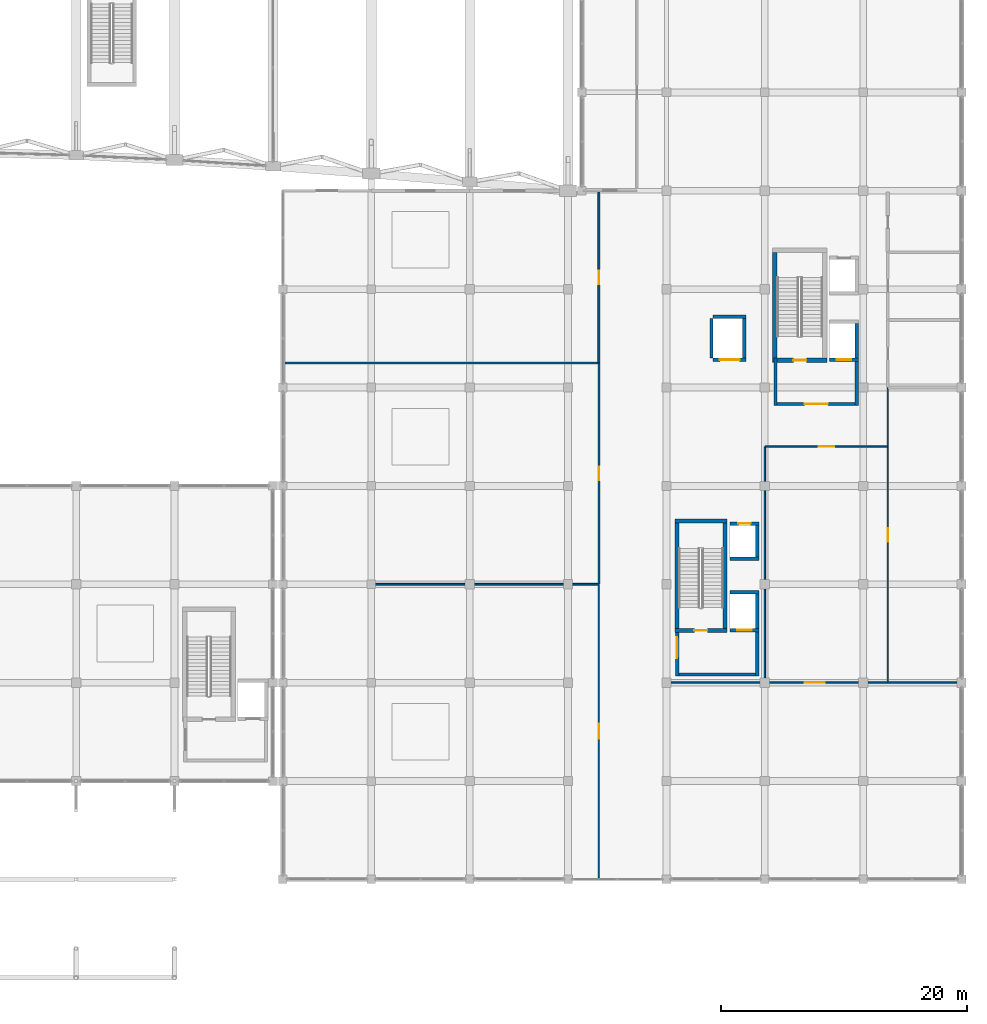
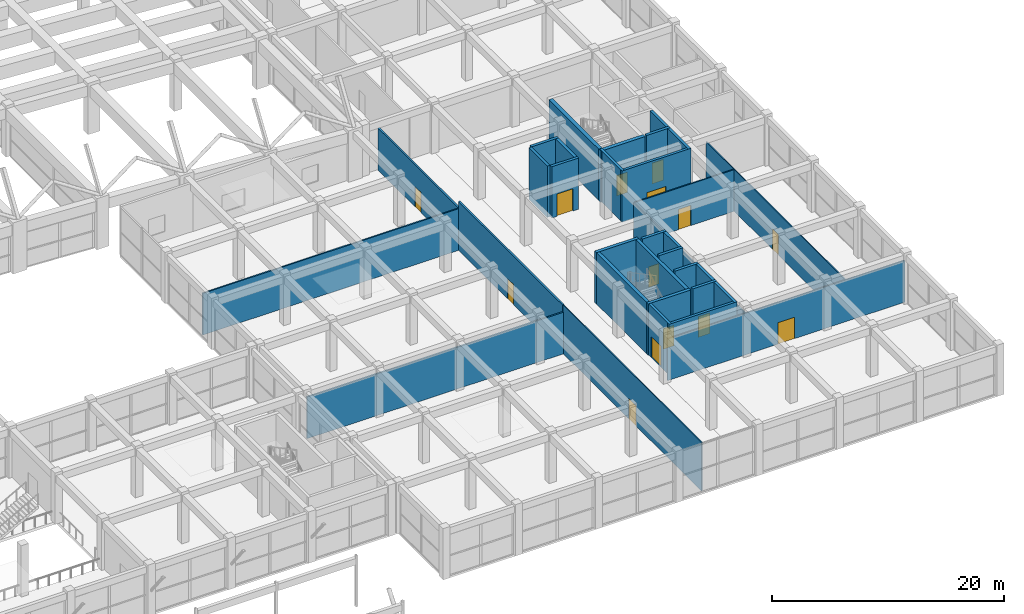
# One storey, part 51 of 69: 33 walls, 14 doors, 14 openings.
"""IFC4 building model written with IfcOpenShell, lengths in metres."""

import ifcopenshell
import ifcopenshell.guid

model = None  # the IFC model being written
_history = None  # IfcOwnerHistory: only IFC2X3 demands one
_inside = {}  # id of a spatial element -> (the spatial element, [elements in it])
_under = {}  # id of a project, library or spatial element -> (it, [spatial elements below it])
_declared = {}  # id of a project -> (the project, [libraries it declares])
_typed = {}  # id of a type object -> (the type object, [elements of that type])
_made_of = {}  # id of a material, layer set ... -> (it, [elements and type objects made of it])


def new_model(schema):
    """Start an empty IFC model of exactly this schema.

    Asked for "IFC4X3", IfcOpenShell would pick the latest addendum, in which some entities
    have other attributes; the version numbers below select the first issue.
    IFC2X3 requires an IfcOwnerHistory on every rooted entity: one is made here for all.
    """
    global model, _history
    if schema == "IFC4X3":
        model = ifcopenshell.file(schema_version=(4, 3, 0, 0))
    else:
        model = ifcopenshell.file(schema=schema)
    _inside.clear()
    _under.clear()
    _declared.clear()
    _typed.clear()
    _made_of.clear()
    _history = None
    if model.schema == "IFC2X3":
        org = make("IfcOrganization", Name="unknown")
        user = make(
            "IfcPersonAndOrganization",
            ThePerson=make("IfcPerson", FamilyName="unknown"),
            TheOrganization=org,
        )
        app = make(
            "IfcApplication",
            ApplicationDeveloper=org,
            Version="unknown",
            ApplicationFullName="unknown",
            ApplicationIdentifier="unknown",
        )
        _history = make(
            "IfcOwnerHistory",
            OwningUser=user,
            OwningApplication=app,
            ChangeAction="ADDED",
            CreationDate=0,
        )
    return model


def make(cls, **values):
    """One entity of the class cls with the attributes given. An attribute that is None is left unset."""
    return model.create_entity(
        cls, **{name: value for name, value in values.items() if value is not None}
    )


def rooted(cls, **values):
    """An entity with a GlobalId (a new one), such as an element, a storey or a relation."""
    return make(cls, GlobalId=ifcopenshell.guid.new(), OwnerHistory=_history, **values)


def si_unit(unit_type, name, prefix=None):
    """IfcSIUnit, for example si_unit("LENGTHUNIT", "METRE", prefix="MILLI")."""
    return make("IfcSIUnit", UnitType=unit_type, Prefix=prefix, Name=name)


def assignment(units):
    """IfcUnitAssignment: the units of a project."""
    return None if units is None else make("IfcUnitAssignment", Units=units)


def point(xyz):
    """IfcCartesianPoint."""
    return None if xyz is None else make("IfcCartesianPoint", Coordinates=xyz)


def direction(xyz):
    """IfcDirection."""
    return None if xyz is None else make("IfcDirection", DirectionRatios=xyz)


def frame(location, z_axis=None, x_axis=None):
    """IfcAxis2Placement3D, a coordinate frame: its origin and axes. An axis left out is left unset."""
    return make(
        "IfcAxis2Placement3D",
        Location=point(location),
        Axis=direction(z_axis),
        RefDirection=direction(x_axis),
    )


def frame_2d(location, x_axis=None):
    """IfcAxis2Placement2D, a coordinate frame in the plane: its origin and x axis."""
    return make(
        "IfcAxis2Placement2D", Location=point(location), RefDirection=direction(x_axis)
    )


def origin():
    """The frame at (0, 0, 0) with its axes left unset."""
    return frame((0.0, 0.0, 0.0))


def place(relative_to, where):
    """IfcLocalPlacement: puts the frame where relative to a parent placement (None: the world)."""
    return make(
        "IfcLocalPlacement", PlacementRelTo=relative_to, RelativePlacement=where
    )


def context(
    kind, dimensions, precision=None, world=None, true_north=None, identifier=None
):
    """IfcGeometricRepresentationContext, for example the 3D "Model" context."""
    return make(
        "IfcGeometricRepresentationContext",
        ContextIdentifier=identifier,
        ContextType=kind,
        CoordinateSpaceDimension=dimensions,
        Precision=precision,
        WorldCoordinateSystem=world,
        TrueNorth=true_north,
    )


def subcontext(parent, identifier, kind, view, scale=None):
    """IfcGeometricRepresentationSubContext, for example "Body" below "Model"."""
    return make(
        "IfcGeometricRepresentationSubContext",
        ContextIdentifier=identifier,
        ContextType=kind,
        ParentContext=parent,
        TargetScale=scale,
        TargetView=view,
    )


def project(units=None, contexts=None):
    """IfcProject with its units and contexts."""
    return rooted(
        "IfcProject",
        Name="project",
        RepresentationContexts=contexts,
        UnitsInContext=assignment(units),
    )


def spatial(cls, under=None, at=None, **own):
    """A site, building, storey or space (cls), placed at a placement, below another one or the project."""
    s = rooted(cls, ObjectPlacement=at, **own)
    if under is not None:
        _under.setdefault(under.id(), (under, []))[1].append(s)
    return s


def profile(cls, at=None, kind="AREA", **sizes):
    """A parametric profile (cls). Its sizes go by their IFC names, for example OverallWidth=200.0."""
    return make(cls, ProfileType=kind, Position=at, **sizes)


def rectangle(**sizes):
    """IfcRectangleProfileDef."""
    return profile("IfcRectangleProfileDef", **sizes)


def extrude(swept, where, along, depth):
    """IfcExtrudedAreaSolid: the profile swept, set in the frame where, extruded along a direction by depth."""
    return make(
        "IfcExtrudedAreaSolid",
        SweptArea=swept,
        Position=where,
        ExtrudedDirection=direction(along),
        Depth=depth,
    )


def shape(context_of_items, identifier, shape_type, items):
    """IfcShapeRepresentation: the items that make up one representation, for example the "Body"."""
    return make(
        "IfcShapeRepresentation",
        ContextOfItems=context_of_items,
        RepresentationIdentifier=identifier,
        RepresentationType=shape_type,
        Items=items,
    )


def material(Name=None, Category=None):
    """IfcMaterial."""
    return make("IfcMaterial", Name=Name, Category=Category)


def layer(
    of_material, thickness, ventilated=None, Name=None, Category=None, Priority=None
):
    """IfcMaterialLayer: one layer of a wall or slab, of a material (None: an air gap)."""
    return make(
        "IfcMaterialLayer",
        Material=of_material,
        LayerThickness=thickness,
        IsVentilated=ventilated,
        Name=Name,
        Category=Category,
        Priority=Priority,
    )


def layer_set(layers, Name=None):
    """IfcMaterialLayerSet."""
    return make("IfcMaterialLayerSet", MaterialLayers=layers, LayerSetName=Name)


def made_of(thing, what):
    """Note that an element or type object is made of a material, layer set ...; save() writes the relation."""
    if what is not None:
        _made_of.setdefault(what.id(), (what, []))[1].append(thing)
    return thing


def type_object(cls, material=None, **own):
    """A type object (cls), such as IfcWallType, which elements share."""
    return made_of(rooted(cls, **own), material)


def element(
    cls,
    number,
    at=None,
    inside=None,
    cuts=None,
    type_object=None,
    material=None,
    context=None,
    identifier="Body",
    shape_type=None,
    held_by="IfcProductDefinitionShape",
    body=None,
    shapes=None,
    **own,
):
    """One element of the class cls, such as IfcWall. Its Tag is "e" and its number.

    at: its placement. inside: the storey or other place that contains it. cuts: it is an
    opening in that element (IfcRelVoidsElement). A single representation is given by context,
    identifier, shape_type and body (its items); several are given by shapes. held_by: the class
    of the entity that holds the representations. save() writes the other relations.
    """
    e = rooted(cls, Tag="e%d" % number, ObjectPlacement=at, **own)
    if body is not None:
        shapes = [shape(context, identifier, shape_type, body)]
    if shapes is not None:
        e.Representation = make(held_by, Representations=shapes)
    if inside is not None:
        _inside.setdefault(inside.id(), (inside, []))[1].append(e)
    if cuts is not None:
        rooted(
            "IfcRelVoidsElement", RelatingBuildingElement=cuts, RelatedOpeningElement=e
        )
    if type_object is not None:
        _typed.setdefault(type_object.id(), (type_object, []))[1].append(e)
    return made_of(e, material)


def fill(opening, filler):
    """IfcRelFillsElement: the door or window that sits in an opening."""
    return rooted(
        "IfcRelFillsElement",
        RelatingOpeningElement=opening,
        RelatedBuildingElement=filler,
    )


def aggregate(whole, parts):
    """IfcRelAggregates: a whole, such as a stair, and the parts it consists of."""
    return rooted("IfcRelAggregates", RelatingObject=whole, RelatedObjects=parts)


def save(model, path):
    """Write the relations noted so far, then the file.

    IfcRelAggregates (storeys below a building ...), IfcRelContainedInSpatialStructure (elements
    in a storey), IfcRelDefinesByType, IfcRelAssociatesMaterial and IfcRelDeclares: one each for
    every whole, place, type object, material and project.
    """
    for whole, parts in _under.values():
        aggregate(whole, parts)
    for where, things in _inside.values():
        rooted(
            "IfcRelContainedInSpatialStructure",
            RelatedElements=things,
            RelatingStructure=where,
        )
    for kind, things in _typed.values():
        rooted("IfcRelDefinesByType", RelatedObjects=things, RelatingType=kind)
    for what, things in _made_of.values():
        rooted("IfcRelAssociatesMaterial", RelatedObjects=things, RelatingMaterial=what)
    for by, libraries in _declared.values():
        rooted("IfcRelDeclares", RelatingContext=by, RelatedDefinitions=libraries)
    model.write(path)


model = new_model("IFC4")

# Units and contexts
model_context = context("Model", 3, precision=1e-05, world=origin(), true_north=direction((0.0, 1.0)))
body_context = subcontext(model_context, "Body", "Model", "MODEL_VIEW")
ifc_project = project(units=[si_unit("LENGTHUNIT", "METRE"), si_unit("AREAUNIT", "SQUARE_METRE"), si_unit("VOLUMEUNIT", "CUBIC_METRE"), si_unit("PLANEANGLEUNIT", "RADIAN"), si_unit("MASSUNIT", "GRAM", prefix="KILO")], contexts=[model_context])

# Site, building, storey
site_placement = place(None, origin())
site = spatial("IfcSite", under=ifc_project, at=site_placement, CompositionType="ELEMENT")
building_placement = place(site_placement, origin())
building = spatial("IfcBuilding", under=site, at=building_placement, Name="Kenh Van Central Station", CompositionType="ELEMENT")
storey_placement = place(building_placement, frame((0.0, 0.0, 5.39990234375)))
storey = spatial("IfcBuildingStorey", under=building, at=storey_placement, Name="L01", CompositionType="ELEMENT", Elevation=5.39990234375)

# Wall, opening, door
ifc_material_1 = material(Name="Concrete C40/50", Category="concrete")
ifc_layer_1 = layer(ifc_material_1, 0.280029296875, Name="Concrete C40/50")
ifc_layer_set_1 = layer_set([ifc_layer_1], Name="Concrete C40/50")
wall_type_1 = type_object("IfcWallType", Name="WL-CORE-280", PredefinedType="SHEAR", material=ifc_layer_set_1)
wall_1_placement = place(storey_placement, frame((157.14990234375, 28.260009765625, 0.0), z_axis=(0.0, 0.0, 1.0), x_axis=(1.0, 0.0, 0.0)))
wall_1 = element("IfcWall", 1, at=wall_1_placement, inside=storey, type_object=wall_type_1, Name="L01 LIFT-FF1 shaft wall S", PredefinedType="SHEAR", context=body_context, shape_type="SweptSolid", body=[
    extrude(rectangle(XDim=2.380126953125, YDim=0.280029296875, at=frame_2d((1.18994140625, 0.0))), origin(), (0.0, 0.0, 1.0), 5.400146484375),
])
opening_1_placement = place(wall_1_placement, frame((0.614990234375, 0.0, 0.0)))
opening_1 = element("IfcOpeningElement", 2, at=opening_1_placement, cuts=wall_1, Name="Opening LD-FF1", PredefinedType="OPENING", context=body_context, shape_type="SweptSolid", body=[
    extrude(rectangle(XDim=1.14990234375, YDim=2.199951171875, at=frame_2d((0.574951171875, 1.10009765625))), frame((0.0, 0.14990234375, 0.0), z_axis=(0.0, -1.0, 0.0), x_axis=(1.0, 0.0, 0.0)), (0.0, 0.0, 1.0), 0.300048828125),
])
ifc_material_2 = material(Name="Champagne anodised aluminium", Category="aluminium")
door_type_1 = type_object("IfcDoorType", Name="DR-LIFT-1150x2200", OperationType="SLIDING_TO_LEFT", PredefinedType="DOOR", material=ifc_material_2)
door_1_placement = place(opening_1_placement, origin())
door_1 = element("IfcDoor", 3, at=door_1_placement, inside=storey, type_object=door_type_1, Name="L01 LIFT-FF1 sliding landing door", OperationType="SLIDING_TO_LEFT", OverallHeight=2.199951171875, OverallWidth=1.14990234375, PredefinedType="DOOR", context=body_context, shape_type="SweptSolid", body=[
    extrude(rectangle(XDim=1.14990234375, YDim=2.199951171875, at=frame_2d((0.574951171875, 1.10009765625))), frame((0.0, 0.02490234375, 0.0), z_axis=(0.0, -1.0, 0.0), x_axis=(1.0, 0.0, 0.0)), (0.0, 0.0, 1.0), 0.050048828125),
])
fill(opening_1, door_1)

# Walls
wall_2_placement = place(storey_placement, frame((157.14990234375, 31.340087890625, 0.0), z_axis=(0.0, 0.0, 1.0), x_axis=(1.0, 0.0, 0.0)))
element("IfcWall", 4, at=wall_2_placement, inside=storey, type_object=wall_type_1, Name="L01 LIFT-FF1 shaft wall N", PredefinedType="SHEAR", context=body_context, shape_type="SweptSolid", body=[
    extrude(rectangle(XDim=2.380126953125, YDim=0.280029296875, at=frame_2d((1.18994140625, 0.0))), origin(), (0.0, 0.0, 1.0), 5.400146484375),
])
wall_3_placement = place(storey_placement, frame((159.389892578125, 28.39990234375, 0.0), z_axis=(0.0, 0.0, 1.0), x_axis=(0.0, 1.0, 0.0)))
element("IfcWall", 5, at=wall_3_placement, inside=storey, type_object=wall_type_1, Name="L01 LIFT-FF1 shaft wall E", PredefinedType="SHEAR", context=body_context, shape_type="SweptSolid", body=[
    extrude(rectangle(XDim=2.800048828125, YDim=0.280029296875, at=frame_2d((1.39990234375, 0.0))), origin(), (0.0, 0.0, 1.0), 5.400146484375),
])
wall_4_placement = place(storey_placement, frame((157.14990234375, 34.06005859375, 0.0), z_axis=(0.0, 0.0, 1.0), x_axis=(1.0, 0.0, 0.0)))
element("IfcWall", 6, at=wall_4_placement, inside=storey, type_object=wall_type_1, Name="L01 LIFT-OP1 shaft wall S", PredefinedType="SHEAR", context=body_context, shape_type="SweptSolid", body=[
    extrude(rectangle(XDim=2.380126953125, YDim=0.280029296875, at=frame_2d((1.18994140625, 0.0))), origin(), (0.0, 0.0, 1.0), 5.400146484375),
])

# Wall, opening, door
wall_5_placement = place(storey_placement, frame((157.14990234375, 36.93994140625, 0.0), z_axis=(0.0, 0.0, 1.0), x_axis=(1.0, 0.0, 0.0)))
wall_5 = element("IfcWall", 7, at=wall_5_placement, inside=storey, type_object=wall_type_1, Name="L01 LIFT-OP1 shaft wall N", PredefinedType="SHEAR", context=body_context, shape_type="SweptSolid", body=[
    extrude(rectangle(XDim=2.380126953125, YDim=0.280029296875, at=frame_2d((1.18994140625, 0.0))), origin(), (0.0, 0.0, 1.0), 5.400146484375),
])
opening_2_placement = place(wall_5_placement, frame((0.68994140625, 0.0, 0.0)))
opening_2 = element("IfcOpeningElement", 8, at=opening_2_placement, cuts=wall_5, Name="Opening LD-OP1", PredefinedType="OPENING", context=body_context, shape_type="SweptSolid", body=[
    extrude(rectangle(XDim=1.0, YDim=2.14990234375, at=frame_2d((0.5, 1.074951171875))), frame((0.0, 0.14990234375, 0.0), z_axis=(0.0, -1.0, 0.0), x_axis=(1.0, 0.0, 0.0)), (0.0, 0.0, 1.0), 0.300048828125),
])
door_type_2 = type_object("IfcDoorType", Name="DR-LIFT-1000x2150", OperationType="SLIDING_TO_LEFT", PredefinedType="DOOR", material=ifc_material_2)
door_2_placement = place(opening_2_placement, origin())
door_2 = element("IfcDoor", 9, at=door_2_placement, inside=storey, type_object=door_type_2, Name="L01 LIFT-OP1 sliding landing door", OperationType="SLIDING_TO_LEFT", OverallHeight=2.14990234375, OverallWidth=1.0, PredefinedType="DOOR", context=body_context, shape_type="SweptSolid", body=[
    extrude(rectangle(XDim=1.0, YDim=2.14990234375, at=frame_2d((0.5, 1.074951171875))), frame((0.0, 0.02490234375, 0.0), z_axis=(0.0, -1.0, 0.0), x_axis=(1.0, 0.0, 0.0)), (0.0, 0.0, 1.0), 0.050048828125),
])
fill(opening_2, door_2)

# Wall
wall_6_placement = place(storey_placement, frame((159.389892578125, 34.199951171875, 0.0), z_axis=(0.0, 0.0, 1.0), x_axis=(0.0, 1.0, 0.0)))
element("IfcWall", 10, at=wall_6_placement, inside=storey, type_object=wall_type_1, Name="L01 LIFT-OP1 shaft wall E", PredefinedType="SHEAR", context=body_context, shape_type="SweptSolid", body=[
    extrude(rectangle(XDim=2.60009765625, YDim=0.280029296875, at=frame_2d((1.300048828125, 0.0))), origin(), (0.0, 0.0, 1.0), 5.400146484375),
])

# Wall, opening, door
wall_7_placement = place(storey_placement, frame((165.25, 50.260009765625, 0.0), z_axis=(0.0, 0.0, 1.0), x_axis=(1.0, 0.0, 0.0)))
wall_7 = element("IfcWall", 11, at=wall_7_placement, inside=storey, type_object=wall_type_1, Name="L01 LIFT-FF2 shaft wall S", PredefinedType="SHEAR", context=body_context, shape_type="SweptSolid", body=[
    extrude(rectangle(XDim=2.3798828125, YDim=0.280029296875, at=frame_2d((1.18994140625, 0.0))), origin(), (0.0, 0.0, 1.0), 5.400146484375),
])
opening_3_placement = place(wall_7_placement, frame((0.614990234375, 0.0, 0.0)))
opening_3 = element("IfcOpeningElement", 12, at=opening_3_placement, cuts=wall_7, Name="Opening LD-FF1", PredefinedType="OPENING", context=body_context, shape_type="SweptSolid", body=[
    extrude(rectangle(XDim=1.14990234375, YDim=2.199951171875, at=frame_2d((0.574951171875, 1.10009765625))), frame((0.0, 0.14990234375, 0.0), z_axis=(0.0, -1.0, 0.0), x_axis=(1.0, 0.0, 0.0)), (0.0, 0.0, 1.0), 0.300048828125),
])
door_3_placement = place(opening_3_placement, origin())
door_3 = element("IfcDoor", 13, at=door_3_placement, inside=storey, type_object=door_type_1, Name="L01 LIFT-FF2 sliding landing door", OperationType="SLIDING_TO_LEFT", OverallHeight=2.199951171875, OverallWidth=1.14990234375, PredefinedType="DOOR", context=body_context, shape_type="SweptSolid", body=[
    extrude(rectangle(XDim=1.14990234375, YDim=2.199951171875, at=frame_2d((0.574951171875, 1.10009765625))), frame((0.0, 0.02490234375, 0.0), z_axis=(0.0, -1.0, 0.0), x_axis=(1.0, 0.0, 0.0)), (0.0, 0.0, 1.0), 0.050048828125),
])
fill(opening_3, door_3)

# Wall
wall_8_placement = place(storey_placement, frame((167.489990234375, 50.39990234375, 0.0), z_axis=(0.0, 0.0, 1.0), x_axis=(0.0, 1.0, 0.0)))
element("IfcWall", 14, at=wall_8_placement, inside=storey, type_object=wall_type_1, Name="L01 LIFT-FF2 shaft wall E", PredefinedType="SHEAR", context=body_context, shape_type="SweptSolid", body=[
    extrude(rectangle(XDim=2.800048828125, YDim=0.280029296875, at=frame_2d((1.39990234375, 0.0))), origin(), (0.0, 0.0, 1.0), 5.400146484375),
])

# Wall, opening, door
wall_9_placement = place(storey_placement, frame((155.800048828125, 50.260009765625, 0.0), z_axis=(0.0, 0.0, 1.0), x_axis=(1.0, 0.0, 0.0)))
wall_9 = element("IfcWall", 15, at=wall_9_placement, inside=storey, type_object=wall_type_1, Name="L01 LIFT-GD1 shaft wall S", PredefinedType="SHEAR", context=body_context, shape_type="SweptSolid", body=[
    extrude(rectangle(XDim=2.679931640625, YDim=0.280029296875, at=frame_2d((1.33984375, 0.0))), origin(), (0.0, 0.0, 1.0), 5.400146484375),
])
opening_4_placement = place(wall_9_placement, frame((0.5400390625, 0.0, 0.0)))
opening_4 = element("IfcOpeningElement", 16, at=opening_4_placement, cuts=wall_9, Name="Opening LD-GD1", PredefinedType="OPENING", context=body_context, shape_type="SweptSolid", body=[
    extrude(rectangle(XDim=1.60009765625, YDim=2.35009765625, at=frame_2d((0.800048828125, 1.175048828125))), frame((0.0, 0.14990234375, 0.0), z_axis=(0.0, -1.0, 0.0), x_axis=(1.0, 0.0, 0.0)), (0.0, 0.0, 1.0), 0.300048828125),
])
door_type_3 = type_object("IfcDoorType", Name="DR-LIFT-1600x2350", OperationType="SLIDING_TO_LEFT", PredefinedType="DOOR", material=ifc_material_2)
door_4_placement = place(opening_4_placement, origin())
door_4 = element("IfcDoor", 17, at=door_4_placement, inside=storey, type_object=door_type_3, Name="L01 LIFT-GD1 sliding landing door", OperationType="SLIDING_TO_LEFT", OverallHeight=2.35009765625, OverallWidth=1.60009765625, PredefinedType="DOOR", context=body_context, shape_type="SweptSolid", body=[
    extrude(rectangle(XDim=1.60009765625, YDim=2.35009765625, at=frame_2d((0.800048828125, 1.175048828125))), frame((0.0, 0.02490234375, 0.0), z_axis=(0.0, -1.0, 0.0), x_axis=(1.0, 0.0, 0.0)), (0.0, 0.0, 1.0), 0.050048828125),
])
fill(opening_4, door_4)

# Walls
wall_10_placement = place(storey_placement, frame((155.800048828125, 53.739990234375, 0.0), z_axis=(0.0, 0.0, 1.0), x_axis=(1.0, 0.0, 0.0)))
element("IfcWall", 18, at=wall_10_placement, inside=storey, type_object=wall_type_1, Name="L01 LIFT-GD1 shaft wall N", PredefinedType="SHEAR", context=body_context, shape_type="SweptSolid", body=[
    extrude(rectangle(XDim=2.679931640625, YDim=0.280029296875, at=frame_2d((1.33984375, 0.0))), origin(), (0.0, 0.0, 1.0), 5.400146484375),
])
for number, where, z_axis, x_axis, name in (
    (19, (158.340087890625, 50.39990234375, 0.0), (0.0, 0.0, 1.0), (0.0, 1.0, 0.0), "L01 LIFT-GD1 shaft wall E"),
    (20, (155.659912109375, 50.39990234375, 0.0), (0.0, 0.0, 1.0), (0.0, 1.0, 0.0), "L01 LIFT-GD1 shaft wall W"),
):
    element("IfcWall", number, at=place(storey_placement, frame(where, z_axis=z_axis, x_axis=x_axis)), inside=storey, type_object=wall_type_1, Name=name, PredefinedType="SHEAR", context=body_context, shape_type="SweptSolid", body=[
        extrude(rectangle(XDim=3.2001953125, YDim=0.280029296875, at=frame_2d((1.60009765625, 0.0))), origin(), (0.0, 0.0, 1.0), 5.400146484375),
    ])

# Wall, opening, door
ifc_layer_2 = layer(ifc_material_1, 0.320068359375, Name="Concrete C40/50")
ifc_layer_set_2 = layer_set([ifc_layer_2], Name="Concrete C40/50")
wall_type_2 = type_object("IfcWallType", Name="WL-CORE-320", PredefinedType="SHEAR", material=ifc_layer_set_2)
wall_11_placement = place(storey_placement, frame((152.679931640625, 28.239990234375, 0.0), z_axis=(0.0, 0.0, 1.0), x_axis=(1.0, 0.0, 0.0)))
wall_11 = element("IfcWall", 21, at=wall_11_placement, inside=storey, type_object=wall_type_2, Name="L01 CORE-09 stair wall S", PredefinedType="SHEAR", context=body_context, shape_type="SweptSolid", body=[
    extrude(rectangle(XDim=4.239990234375, YDim=0.320068359375, at=frame_2d((2.1201171875, 0.0))), origin(), (0.0, 0.0, 1.0), 5.400146484375),
])
opening_5_placement = place(wall_11_placement, frame((1.594970703125, 0.0, 0.0)))
opening_5 = element("IfcOpeningElement", 22, at=opening_5_placement, cuts=wall_11, Name="Opening D-FD60", PredefinedType="OPENING", context=body_context, shape_type="SweptSolid", body=[
    extrude(rectangle(XDim=1.050048828125, YDim=2.14990234375, at=frame_2d((0.52490234375, 1.074951171875))), frame((0.0, 0.169921875, 0.0), z_axis=(0.0, -1.0, 0.0), x_axis=(1.0, 0.0, 0.0)), (0.0, 0.0, 1.0), 0.340087890625),
])
door_type_4 = type_object("IfcDoorType", Name="DR-FIRE-1050x2150", OperationType="NOTDEFINED", PredefinedType="DOOR", material=ifc_material_2)
door_5_placement = place(opening_5_placement, origin())
door_5 = element("IfcDoor", 23, at=door_5_placement, inside=storey, type_object=door_type_4, Name="L01 ST-09 stair door", OperationType="SINGLE_SWING_RIGHT", OverallHeight=2.14990234375, OverallWidth=1.050048828125, PredefinedType="DOOR", context=body_context, shape_type="SweptSolid", body=[
    extrude(rectangle(XDim=1.050048828125, YDim=2.14990234375, at=frame_2d((0.52490234375, 1.074951171875))), frame((0.0, 0.02490234375, 0.0), z_axis=(0.0, -1.0, 0.0), x_axis=(1.0, 0.0, 0.0)), (0.0, 0.0, 1.0), 0.050048828125),
])
fill(opening_5, door_5)

# Walls
wall_12_placement = place(storey_placement, frame((152.679931640625, 37.159912109375, 0.0), z_axis=(0.0, 0.0, 1.0), x_axis=(1.0, 0.0, 0.0)))
element("IfcWall", 24, at=wall_12_placement, inside=storey, type_object=wall_type_2, Name="L01 CORE-09 stair wall N", PredefinedType="SHEAR", context=body_context, shape_type="SweptSolid", body=[
    extrude(rectangle(XDim=4.239990234375, YDim=0.320068359375, at=frame_2d((2.1201171875, 0.0))), origin(), (0.0, 0.0, 1.0), 5.400146484375),
])
for number, where, z_axis, x_axis, name in (
    (25, (152.840087890625, 28.39990234375, 0.0), (0.0, 0.0, 1.0), (0.0, 1.0, 0.0), "L01 CORE-09 stair wall W"),
    (26, (156.760009765625, 28.39990234375, 0.0), (0.0, 0.0, 1.0), (0.0, 1.0, 0.0), "L01 CORE-09 stair wall E"),
):
    element("IfcWall", number, at=place(storey_placement, frame(where, z_axis=z_axis, x_axis=x_axis)), inside=storey, type_object=wall_type_2, Name=name, PredefinedType="SHEAR", context=body_context, shape_type="SweptSolid", body=[
        extrude(rectangle(XDim=8.60009765625, YDim=0.320068359375, at=frame_2d((4.300048828125, 0.0))), origin(), (0.0, 0.0, 1.0), 5.400146484375),
    ])

# Wall, opening, door
ifc_layer_3 = layer(ifc_material_1, 0.360107421875, Name="Concrete C40/50")
ifc_layer_set_3 = layer_set([ifc_layer_3], Name="Concrete C40/50")
wall_type_3 = type_object("IfcWallType", Name="WL-CORE-360", PredefinedType="SHEAR", material=ifc_layer_set_3)
wall_13_placement = place(storey_placement, frame((160.639892578125, 50.219970703125, 0.0), z_axis=(0.0, 0.0, 1.0), x_axis=(1.0, 0.0, 0.0)))
wall_13 = element("IfcWall", 27, at=wall_13_placement, inside=storey, type_object=wall_type_3, Name="L01 CORE-10 stair wall S", PredefinedType="SHEAR", context=body_context, shape_type="SweptSolid", body=[
    extrude(rectangle(XDim=4.420166015625, YDim=0.360107421875, at=frame_2d((2.2099609375, 0.0))), origin(), (0.0, 0.0, 1.0), 5.400146484375),
])
opening_6_placement = place(wall_13_placement, frame((1.68505859375, 0.0, 0.0)))
opening_6 = element("IfcOpeningElement", 28, at=opening_6_placement, cuts=wall_13, Name="Opening D-FD60", PredefinedType="OPENING", context=body_context, shape_type="SweptSolid", body=[
    extrude(rectangle(XDim=1.050048828125, YDim=2.14990234375, at=frame_2d((0.52490234375, 1.074951171875))), frame((0.0, 0.18994140625, 0.0), z_axis=(0.0, -1.0, 0.0), x_axis=(1.0, 0.0, 0.0)), (0.0, 0.0, 1.0), 0.380126953125),
])
door_6_placement = place(opening_6_placement, origin())
door_6 = element("IfcDoor", 29, at=door_6_placement, inside=storey, type_object=door_type_4, Name="L01 ST-10 stair door", OperationType="SINGLE_SWING_RIGHT", OverallHeight=2.14990234375, OverallWidth=1.050048828125, PredefinedType="DOOR", context=body_context, shape_type="SweptSolid", body=[
    extrude(rectangle(XDim=1.050048828125, YDim=2.14990234375, at=frame_2d((0.52490234375, 1.074951171875))), frame((0.0, 0.02490234375, 0.0), z_axis=(0.0, -1.0, 0.0), x_axis=(1.0, 0.0, 0.0)), (0.0, 0.0, 1.0), 0.050048828125),
])
fill(opening_6, door_6)

# Walls
wall_14_placement = place(storey_placement, frame((160.820068359375, 50.39990234375, 0.0), z_axis=(0.0, 0.0, 1.0), x_axis=(0.0, 1.0, 0.0)))
element("IfcWall", 30, at=wall_14_placement, inside=storey, type_object=wall_type_3, Name="L01 CORE-10 stair wall W", PredefinedType="SHEAR", context=body_context, shape_type="SweptSolid", body=[
    extrude(rectangle(XDim=8.60009765625, YDim=0.360107421875, at=frame_2d((4.300048828125, 0.0))), origin(), (0.0, 0.0, 1.0), 5.400146484375),
])
ifc_layer_4 = layer(ifc_material_1, 0.260009765625, Name="Concrete C40/50")
ifc_layer_set_4 = layer_set([ifc_layer_4], Name="Concrete C40/50")
wall_type_4 = type_object("IfcWallType", Name="WL-FIRE-260", PredefinedType="SHEAR", material=ifc_layer_set_4)
wall_15_placement = place(storey_placement, frame((159.510009765625, 24.669921875, 0.0), z_axis=(0.0, 0.0, 1.0), x_axis=(-1.0, 0.0, 0.0)))
element("IfcWall", 31, at=wall_15_placement, inside=storey, type_object=wall_type_4, Name="L01 CORE-09 lobby wall S", PredefinedType="SHEAR", context=body_context, shape_type="SweptSolid", body=[
    extrude(rectangle(XDim=6.77001953125, YDim=0.260009765625, at=frame_2d((3.385009765625, 0.0))), origin(), (0.0, 0.0, 1.0), 5.400146484375),
])

# Wall, opening, door
wall_16_placement = place(storey_placement, frame((152.8701171875, 24.5400390625, 0.0), z_axis=(0.0, 0.0, 1.0), x_axis=(0.0, 1.0, 0.0)))
wall_16 = element("IfcWall", 32, at=wall_16_placement, inside=storey, type_object=wall_type_4, Name="L01 CORE-09 lobby wall W", PredefinedType="SHEAR", context=body_context, shape_type="SweptSolid", body=[
    extrude(rectangle(XDim=3.85986328125, YDim=0.260009765625, at=frame_2d((1.929931640625, 0.0))), origin(), (0.0, 0.0, 1.0), 5.400146484375),
])
opening_7_placement = place(wall_16_placement, frame((1.4599609375, 0.0, 0.0)))
opening_7 = element("IfcOpeningElement", 33, at=opening_7_placement, cuts=wall_16, Name="Opening D-FD60D", PredefinedType="OPENING", context=body_context, shape_type="SweptSolid", body=[
    extrude(rectangle(XDim=1.699951171875, YDim=2.199951171875, at=frame_2d((0.85009765625, 1.10009765625))), frame((0.0, 0.139892578125, 0.0), z_axis=(0.0, -1.0, 0.0), x_axis=(1.0, 0.0, 0.0)), (0.0, 0.0, 1.0), 0.280029296875),
])
door_type_5 = type_object("IfcDoorType", Name="DR-FIRE-1700x2200", OperationType="DOUBLE_DOOR_SINGLE_SWING", PredefinedType="DOOR", material=ifc_material_2)
door_7_placement = place(opening_7_placement, origin())
door_7 = element("IfcDoor", 34, at=door_7_placement, inside=storey, type_object=door_type_5, Name="L01 CORE-09 smoke-stop lobby door", OperationType="DOUBLE_DOOR_SINGLE_SWING", OverallHeight=2.199951171875, OverallWidth=1.699951171875, PredefinedType="DOOR", context=body_context, shape_type="SweptSolid", body=[
    extrude(rectangle(XDim=1.699951171875, YDim=2.199951171875, at=frame_2d((0.85009765625, 1.10009765625))), frame((0.0, 0.02490234375, 0.0), z_axis=(0.0, -1.0, 0.0), x_axis=(1.0, 0.0, 0.0)), (0.0, 0.0, 1.0), 0.050048828125),
])
fill(opening_7, door_7)

# Wall
wall_17_placement = place(storey_placement, frame((159.3798828125, 24.5400390625, 0.0), z_axis=(0.0, 0.0, 1.0), x_axis=(0.0, 1.0, 0.0)))
element("IfcWall", 35, at=wall_17_placement, inside=storey, type_object=wall_type_4, Name="L01 CORE-09 lobby wall E", PredefinedType="SHEAR", context=body_context, shape_type="SweptSolid", body=[
    extrude(rectangle(XDim=3.85986328125, YDim=0.260009765625, at=frame_2d((1.929931640625, 0.0))), origin(), (0.0, 0.0, 1.0), 5.400146484375),
])

# Wall, opening, door
wall_18_placement = place(storey_placement, frame((167.610107421875, 46.669921875, 0.0), z_axis=(0.0, 0.0, 1.0), x_axis=(-1.0, 0.0, 0.0)))
wall_18 = element("IfcWall", 36, at=wall_18_placement, inside=storey, type_object=wall_type_4, Name="L01 CORE-10 lobby wall S", PredefinedType="SHEAR", context=body_context, shape_type="SweptSolid", body=[
    extrude(rectangle(XDim=6.8701171875, YDim=0.260009765625, at=frame_2d((3.43505859375, 0.0))), origin(), (0.0, 0.0, 1.0), 5.400146484375),
])
opening_8_placement = place(wall_18_placement, frame((2.485107421875, 0.0, 0.0)))
opening_8 = element("IfcOpeningElement", 37, at=opening_8_placement, cuts=wall_18, Name="Opening D-FD60W", PredefinedType="OPENING", context=body_context, shape_type="SweptSolid", body=[
    extrude(rectangle(XDim=1.89990234375, YDim=2.25, at=frame_2d((0.949951171875, 1.125))), frame((0.0, 0.139892578125, 0.0), z_axis=(0.0, -1.0, 0.0), x_axis=(1.0, 0.0, 0.0)), (0.0, 0.0, 1.0), 0.280029296875),
])
door_type_6 = type_object("IfcDoorType", Name="DR-FIRE-1900x2250", OperationType="DOUBLE_DOOR_SINGLE_SWING", PredefinedType="DOOR", material=ifc_material_2)
door_8_placement = place(opening_8_placement, origin())
door_8 = element("IfcDoor", 38, at=door_8_placement, inside=storey, type_object=door_type_6, Name="L01 CORE-10 smoke-stop lobby door", OperationType="DOUBLE_DOOR_SINGLE_SWING", OverallHeight=2.25, OverallWidth=1.89990234375, PredefinedType="DOOR", context=body_context, shape_type="SweptSolid", body=[
    extrude(rectangle(XDim=1.89990234375, YDim=2.25, at=frame_2d((0.949951171875, 1.125))), frame((0.0, 0.02490234375, 0.0), z_axis=(0.0, -1.0, 0.0), x_axis=(1.0, 0.0, 0.0)), (0.0, 0.0, 1.0), 0.050048828125),
])
fill(opening_8, door_8)

# Walls
for number, where, z_axis, x_axis, name in (
    (39, (160.8701171875, 46.5400390625, 0.0), (0.0, 0.0, 1.0), (0.0, 1.0, 0.0), "L01 CORE-10 lobby wall W"),
    (40, (167.47998046875, 46.5400390625, 0.0), (0.0, 0.0, 1.0), (0.0, 1.0, 0.0), "L01 CORE-10 lobby wall E"),
):
    element("IfcWall", number, at=place(storey_placement, frame(where, z_axis=z_axis, x_axis=x_axis)), inside=storey, type_object=wall_type_4, Name=name, PredefinedType="SHEAR", context=body_context, shape_type="SweptSolid", body=[
        extrude(rectangle(XDim=3.85986328125, YDim=0.260009765625, at=frame_2d((1.929931640625, 0.0))), origin(), (0.0, 0.0, 1.0), 5.400146484375),
    ])

# Wall, opening, door
ifc_material_3 = material(Name="Lightweight acoustic masonry blockwork", Category="masonry")
ifc_layer_5 = layer(ifc_material_3, 0.10009765625, Name="Lightweight acoustic masonry blockwork")
ifc_layer_set_5 = layer_set([ifc_layer_5], Name="Lightweight acoustic masonry blockwork")
wall_type_5 = type_object("IfcWallType", Name="WL-PART-100", PredefinedType="PARTITIONING", material=ifc_layer_set_5)
wall_19_placement = place(storey_placement, frame((146.5, 8.1201171875, 0.0), z_axis=(0.0, 0.0, 1.0), x_axis=(0.0, 1.0, 0.0)))
wall_19 = element("IfcWall", 41, at=wall_19_placement, inside=storey, type_object=wall_type_5, Name="L01 interior wall 0118", PredefinedType="PARTITIONING", context=body_context, shape_type="SweptSolid", body=[
    extrude(rectangle(XDim=23.85986328125, YDim=0.10009765625, at=frame_2d((11.929931640625, 0.0))), origin(), (0.0, 0.0, 1.0), 5.1201171875),
])
opening_9_placement = place(wall_19_placement, frame((11.304931640625, 0.0, 0.0)))
opening_9 = element("IfcOpeningElement", 42, at=opening_9_placement, cuts=wall_19, Name="Opening D-IN04", PredefinedType="OPENING", context=body_context, shape_type="SweptSolid", body=[
    extrude(rectangle(XDim=1.25, YDim=2.14990234375, at=frame_2d((0.625, 1.074951171875))), frame((0.0, 0.06005859375, 0.0), z_axis=(0.0, -1.0, 0.0), x_axis=(1.0, 0.0, 0.0)), (0.0, 0.0, 1.0), 0.1201171875),
])
ifc_material_4 = material(Name="Architectural hardwood timber", Category="wood")
door_type_7 = type_object("IfcDoorType", Name="DR-INT-1250x2150", OperationType="NOTDEFINED", PredefinedType="DOOR", material=ifc_material_4)
door_9_placement = place(opening_9_placement, origin())
door_9 = element("IfcDoor", 43, at=door_9_placement, inside=storey, type_object=door_type_7, Name="L01 interior door 0065", OperationType="SINGLE_SWING_RIGHT", OverallHeight=2.14990234375, OverallWidth=1.25, PredefinedType="DOOR", context=body_context, shape_type="SweptSolid", body=[
    extrude(rectangle(XDim=1.25, YDim=2.14990234375, at=frame_2d((0.625, 1.074951171875))), frame((0.0, 0.02490234375, 0.0), z_axis=(0.0, -1.0, 0.0), x_axis=(1.0, 0.0, 0.0)), (0.0, 0.0, 1.0), 0.050048828125),
])
fill(opening_9, door_9)

wall_20_placement = place(storey_placement, frame((170.0, 24.02001953125, 0.0), z_axis=(0.0, 0.0, 1.0), x_axis=(0.0, 1.0, 0.0)))
wall_20 = element("IfcWall", 44, at=wall_20_placement, inside=storey, type_object=wall_type_5, Name="L01 interior wall 0125", PredefinedType="PARTITIONING", context=body_context, shape_type="SweptSolid", body=[
    extrude(rectangle(XDim=23.9599609375, YDim=0.10009765625, at=frame_2d((11.97998046875, 0.0))), origin(), (0.0, 0.0, 1.0), 4.39013671875),
])
opening_10_placement = place(wall_20_placement, frame((11.43994140625, 0.0, 0.0)))
opening_10 = element("IfcOpeningElement", 45, at=opening_10_placement, cuts=wall_20, Name="Opening D-IN05", PredefinedType="OPENING", context=body_context, shape_type="SweptSolid", body=[
    extrude(rectangle(XDim=1.080078125, YDim=2.14990234375, at=frame_2d((0.5400390625, 1.074951171875))), frame((0.0, 0.06005859375, 0.0), z_axis=(0.0, -1.0, 0.0), x_axis=(1.0, 0.0, 0.0)), (0.0, 0.0, 1.0), 0.1201171875),
])
door_type_8 = type_object("IfcDoorType", Name="DR-INT-1080x2150", OperationType="NOTDEFINED", PredefinedType="DOOR", material=ifc_material_4)
door_10_placement = place(opening_10_placement, origin())
door_10 = element("IfcDoor", 46, at=door_10_placement, inside=storey, type_object=door_type_8, Name="L01 interior door 0069", OperationType="SINGLE_SWING_RIGHT", OverallHeight=2.14990234375, OverallWidth=1.080078125, PredefinedType="DOOR", context=body_context, shape_type="SweptSolid", body=[
    extrude(rectangle(XDim=1.080078125, YDim=2.14990234375, at=frame_2d((0.5400390625, 1.074951171875))), frame((0.0, 0.02490234375, 0.0), z_axis=(0.0, -1.0, 0.0), x_axis=(1.0, 0.0, 0.0)), (0.0, 0.0, 1.0), 0.050048828125),
])
fill(opening_10, door_10)

# Wall
ifc_layer_6 = layer(ifc_material_3, 0.114990234375, Name="Lightweight acoustic masonry blockwork")
ifc_layer_set_6 = layer_set([ifc_layer_6], Name="Lightweight acoustic masonry blockwork")
wall_type_6 = type_object("IfcWallType", Name="WL-PART-115", PredefinedType="PARTITIONING", material=ifc_layer_set_6)
wall_21_placement = place(storey_placement, frame((160.0, 24.02001953125, 0.0), z_axis=(0.0, 0.0, 1.0), x_axis=(0.0, 1.0, 0.0)))
element("IfcWall", 47, at=wall_21_placement, inside=storey, type_object=wall_type_6, Name="L01 interior wall 0124", PredefinedType="PARTITIONING", context=body_context, shape_type="SweptSolid", body=[
    extrude(rectangle(XDim=19.159912109375, YDim=0.114990234375, at=frame_2d((9.580078125, 0.0))), origin(), (0.0, 0.0, 1.0), 4.39013671875),
])

# Wall, opening, door
ifc_layer_7 = layer(ifc_material_3, 0.125, Name="Lightweight acoustic masonry blockwork")
ifc_layer_set_7 = layer_set([ifc_layer_7], Name="Lightweight acoustic masonry blockwork")
wall_type_7 = type_object("IfcWallType", Name="WL-PART-125", PredefinedType="PARTITIONING", material=ifc_layer_set_7)
wall_22_placement = place(storey_placement, frame((152.219970703125, 24.0, 0.0), z_axis=(0.0, 0.0, 1.0), x_axis=(1.0, 0.0, 0.0)))
wall_22 = element("IfcWall", 48, at=wall_22_placement, inside=storey, type_object=wall_type_7, Name="L01 interior wall 0123", PredefinedType="PARTITIONING", context=body_context, shape_type="SweptSolid", body=[
    extrude(rectangle(XDim=23.659912109375, YDim=0.125, at=frame_2d((11.830078125, 0.0))), origin(), (0.0, 0.0, 1.0), 4.39013671875),
])
opening_11_placement = place(wall_22_placement, frame((11.0048828125, 0.0, 0.0)))
opening_11 = element("IfcOpeningElement", 49, at=opening_11_placement, cuts=wall_22, Name="Opening D-IN02", PredefinedType="OPENING", context=body_context, shape_type="SweptSolid", body=[
    extrude(rectangle(XDim=1.64990234375, YDim=2.25, at=frame_2d((0.824951171875, 1.125))), frame((0.0, 0.072509765625, 0.0), z_axis=(0.0, -1.0, 0.0), x_axis=(1.0, 0.0, 0.0)), (0.0, 0.0, 1.0), 0.14501953125),
])
door_type_9 = type_object("IfcDoorType", Name="DR-INT-1650x2250", OperationType="DOUBLE_DOOR_SINGLE_SWING", PredefinedType="DOOR", material=ifc_material_4)
door_11_placement = place(opening_11_placement, origin())
door_11 = element("IfcDoor", 50, at=door_11_placement, inside=storey, type_object=door_type_9, Name="L01 interior door 0068", OperationType="DOUBLE_DOOR_SINGLE_SWING", OverallHeight=2.25, OverallWidth=1.64990234375, PredefinedType="DOOR", context=body_context, shape_type="SweptSolid", body=[
    extrude(rectangle(XDim=1.64990234375, YDim=2.25, at=frame_2d((0.824951171875, 1.125))), frame((0.0, 0.02490234375, 0.0), z_axis=(0.0, -1.0, 0.0), x_axis=(1.0, 0.0, 0.0)), (0.0, 0.0, 1.0), 0.050048828125),
])
fill(opening_11, door_11)

wall_23_placement = place(storey_placement, frame((160.02001953125, 43.199951171875, 0.0), z_axis=(0.0, 0.0, 1.0), x_axis=(1.0, 0.0, 0.0)))
wall_23 = element("IfcWall", 51, at=wall_23_placement, inside=storey, type_object=wall_type_7, Name="L01 interior wall 0207", PredefinedType="PARTITIONING", context=body_context, shape_type="SweptSolid", body=[
    extrude(rectangle(XDim=9.9599609375, YDim=0.125, at=frame_2d((4.97998046875, 0.0))), origin(), (0.0, 0.0, 1.0), 4.39013671875),
])
opening_12_placement = place(wall_23_placement, frame((4.35498046875, 0.0, 0.0)))
opening_12 = element("IfcOpeningElement", 52, at=opening_12_placement, cuts=wall_23, Name="Opening D-IN04", PredefinedType="OPENING", context=body_context, shape_type="SweptSolid", body=[
    extrude(rectangle(XDim=1.25, YDim=2.14990234375, at=frame_2d((0.625, 1.074951171875))), frame((0.0, 0.072509765625, 0.0), z_axis=(0.0, -1.0, 0.0), x_axis=(1.0, 0.0, 0.0)), (0.0, 0.0, 1.0), 0.14501953125),
])
door_12_placement = place(opening_12_placement, origin())
door_12 = element("IfcDoor", 53, at=door_12_placement, inside=storey, type_object=door_type_7, Name="L01 interior door 0114", OperationType="SINGLE_SWING_LEFT", OverallHeight=2.14990234375, OverallWidth=1.25, PredefinedType="DOOR", context=body_context, shape_type="SweptSolid", body=[
    extrude(rectangle(XDim=1.25, YDim=2.14990234375, at=frame_2d((0.625, 1.074951171875))), frame((0.0, 0.02490234375, 0.0), z_axis=(0.0, -1.0, 0.0), x_axis=(1.0, 0.0, 0.0)), (0.0, 0.0, 1.0), 0.050048828125),
])
fill(opening_12, door_12)

# Walls
ifc_layer_8 = layer(ifc_material_3, 0.135009765625, Name="Lightweight acoustic masonry blockwork")
ifc_layer_set_8 = layer_set([ifc_layer_8], Name="Lightweight acoustic masonry blockwork")
wall_type_8 = type_object("IfcWallType", Name="WL-PART-135", PredefinedType="PARTITIONING", material=ifc_layer_set_8)
wall_24_placement = place(storey_placement, frame((120.919921875, 50.0, 0.0), z_axis=(0.0, 0.0, 1.0), x_axis=(1.0, 0.0, 0.0)))
element("IfcWall", 54, at=wall_24_placement, inside=storey, type_object=wall_type_8, Name="L01 interior wall 0122", PredefinedType="PARTITIONING", context=body_context, shape_type="SweptSolid", body=[
    extrude(rectangle(XDim=25.56005859375, YDim=0.135009765625, at=frame_2d((12.780029296875, 0.0))), origin(), (0.0, 0.0, 1.0), 4.39013671875),
])
ifc_layer_9 = layer(ifc_material_3, 0.14990234375, Name="Lightweight acoustic masonry blockwork")
ifc_layer_set_9 = layer_set([ifc_layer_9], Name="Lightweight acoustic masonry blockwork")
wall_type_9 = type_object("IfcWallType", Name="WL-PART-150", PredefinedType="PARTITIONING", material=ifc_layer_set_9)
wall_25_placement = place(storey_placement, frame((120.919921875, 32.0, 0.0), z_axis=(0.0, 0.0, 1.0), x_axis=(1.0, 0.0, 0.0)))
element("IfcWall", 55, at=wall_25_placement, inside=storey, type_object=wall_type_9, Name="L01 interior wall 0121", PredefinedType="PARTITIONING", context=body_context, shape_type="SweptSolid", body=[
    extrude(rectangle(XDim=25.56005859375, YDim=0.14990234375, at=frame_2d((12.780029296875, 0.0))), origin(), (0.0, 0.0, 1.0), 4.39013671875),
])

# Wall, opening, door
ifc_layer_10 = layer(ifc_material_3, 0.159912109375, Name="Lightweight acoustic masonry blockwork")
ifc_layer_set_10 = layer_set([ifc_layer_10], Name="Lightweight acoustic masonry blockwork")
wall_type_10 = type_object("IfcWallType", Name="WL-PART-160", PredefinedType="PARTITIONING", material=ifc_layer_set_10)
wall_26_placement = place(storey_placement, frame((146.5, 50.02001953125, 0.0), z_axis=(0.0, 0.0, 1.0), x_axis=(0.0, 1.0, 0.0)))
wall_26 = element("IfcWall", 56, at=wall_26_placement, inside=storey, type_object=wall_type_10, Name="L01 interior wall 0120", PredefinedType="PARTITIONING", context=body_context, shape_type="SweptSolid", body=[
    extrude(rectangle(XDim=13.85986328125, YDim=0.159912109375, at=frame_2d((6.929931640625, 0.0))), origin(), (0.0, 0.0, 1.0), 4.440185546875),
])
opening_13_placement = place(wall_26_placement, frame((6.389892578125, 0.0, 0.0)))
opening_13 = element("IfcOpeningElement", 57, at=opening_13_placement, cuts=wall_26, Name="Opening D-IN05", PredefinedType="OPENING", context=body_context, shape_type="SweptSolid", body=[
    extrude(rectangle(XDim=1.080078125, YDim=2.14990234375, at=frame_2d((0.5400390625, 1.074951171875))), frame((0.0, 0.08984375, 0.0), z_axis=(0.0, -1.0, 0.0), x_axis=(1.0, 0.0, 0.0)), (0.0, 0.0, 1.0), 0.179931640625),
])
door_13_placement = place(opening_13_placement, origin())
door_13 = element("IfcDoor", 58, at=door_13_placement, inside=storey, type_object=door_type_8, Name="L01 interior door 0067", OperationType="SINGLE_SWING_RIGHT", OverallHeight=2.14990234375, OverallWidth=1.080078125, PredefinedType="DOOR", context=body_context, shape_type="SweptSolid", body=[
    extrude(rectangle(XDim=1.080078125, YDim=2.14990234375, at=frame_2d((0.5400390625, 1.074951171875))), frame((0.0, 0.02490234375, 0.0), z_axis=(0.0, -1.0, 0.0), x_axis=(1.0, 0.0, 0.0)), (0.0, 0.0, 1.0), 0.050048828125),
])
fill(opening_13, door_13)

ifc_layer_11 = layer(ifc_material_3, 0.175048828125, Name="Lightweight acoustic masonry blockwork")
ifc_layer_set_11 = layer_set([ifc_layer_11], Name="Lightweight acoustic masonry blockwork")
wall_type_11 = type_object("IfcWallType", Name="WL-PART-175", PredefinedType="PARTITIONING", material=ifc_layer_set_11)
wall_27_placement = place(storey_placement, frame((146.5, 32.02001953125, 0.0), z_axis=(0.0, 0.0, 1.0), x_axis=(0.0, 1.0, 0.0)))
wall_27 = element("IfcWall", 59, at=wall_27_placement, inside=storey, type_object=wall_type_11, Name="L01 interior wall 0119", PredefinedType="PARTITIONING", context=body_context, shape_type="SweptSolid", body=[
    extrude(rectangle(XDim=17.9599609375, YDim=0.175048828125, at=frame_2d((8.97998046875, 0.0))), origin(), (0.0, 0.0, 1.0), 5.1201171875),
])
opening_14_placement = place(wall_27_placement, frame((8.43994140625, 0.0, 0.0)))
opening_14 = element("IfcOpeningElement", 60, at=opening_14_placement, cuts=wall_27, Name="Opening D-IN05", PredefinedType="OPENING", context=body_context, shape_type="SweptSolid", body=[
    extrude(rectangle(XDim=1.080078125, YDim=2.14990234375, at=frame_2d((0.5400390625, 1.074951171875))), frame((0.0, 0.097412109375, 0.0), z_axis=(0.0, -1.0, 0.0), x_axis=(1.0, 0.0, 0.0)), (0.0, 0.0, 1.0), 0.195068359375),
])
door_14_placement = place(opening_14_placement, origin())
door_14 = element("IfcDoor", 61, at=door_14_placement, inside=storey, type_object=door_type_8, Name="L01 interior door 0066", OperationType="SINGLE_SWING_LEFT", OverallHeight=2.14990234375, OverallWidth=1.080078125, PredefinedType="DOOR", context=body_context, shape_type="SweptSolid", body=[
    extrude(rectangle(XDim=1.080078125, YDim=2.14990234375, at=frame_2d((0.5400390625, 1.074951171875))), frame((0.0, 0.02490234375, 0.0), z_axis=(0.0, -1.0, 0.0), x_axis=(1.0, 0.0, 0.0)), (0.0, 0.0, 1.0), 0.050048828125),
])
fill(opening_14, door_14)

save(model, "model.ifc")
